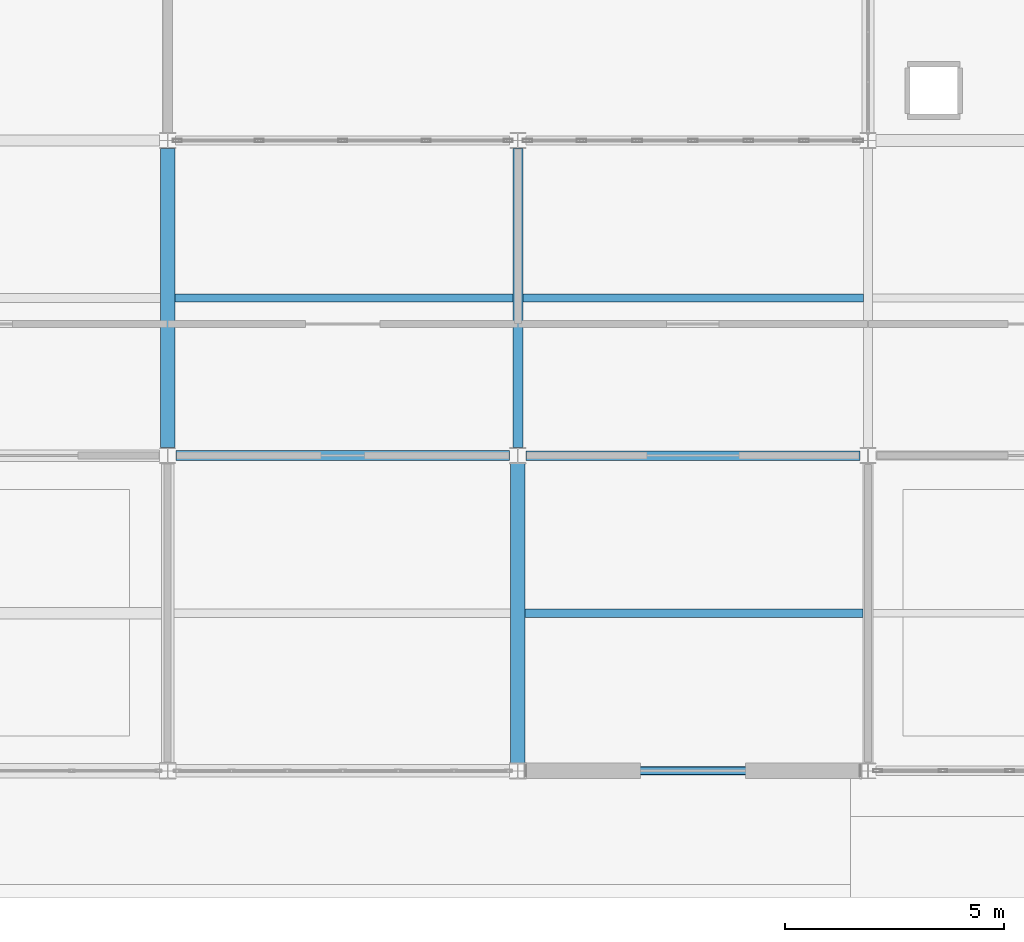
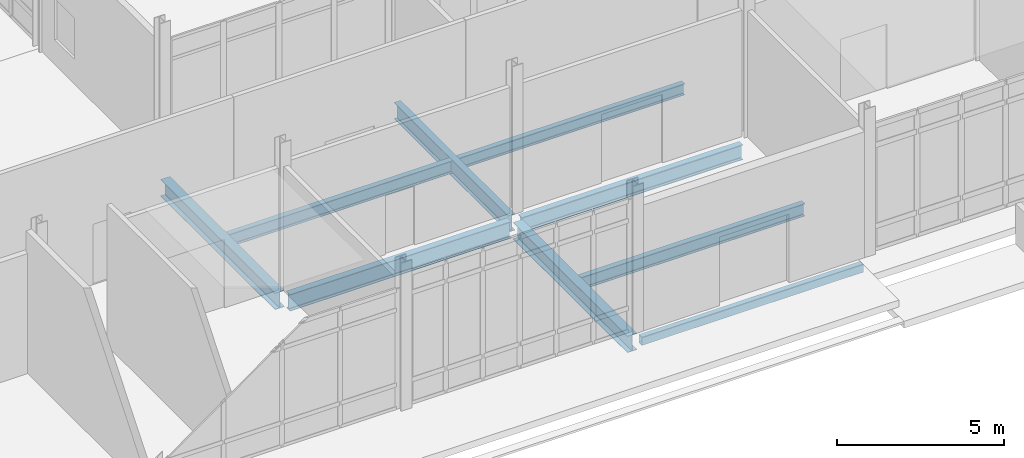
# One storey, part 40 of 229: 9 beams.
"""IFC4 building model written with IfcOpenShell, lengths in metres."""

import ifcopenshell
import ifcopenshell.guid

model = None  # the IFC model being written
_history = None  # IfcOwnerHistory: only IFC2X3 demands one
_inside = {}  # id of a spatial element -> (the spatial element, [elements in it])
_under = {}  # id of a project, library or spatial element -> (it, [spatial elements below it])
_declared = {}  # id of a project -> (the project, [libraries it declares])
_typed = {}  # id of a type object -> (the type object, [elements of that type])
_made_of = {}  # id of a material, layer set ... -> (it, [elements and type objects made of it])


def new_model(schema):
    """Start an empty IFC model of exactly this schema.

    Asked for "IFC4X3", IfcOpenShell would pick the latest addendum, in which some entities
    have other attributes; the version numbers below select the first issue.
    IFC2X3 requires an IfcOwnerHistory on every rooted entity: one is made here for all.
    """
    global model, _history
    if schema == "IFC4X3":
        model = ifcopenshell.file(schema_version=(4, 3, 0, 0))
    else:
        model = ifcopenshell.file(schema=schema)
    _inside.clear()
    _under.clear()
    _declared.clear()
    _typed.clear()
    _made_of.clear()
    _history = None
    if model.schema == "IFC2X3":
        org = make("IfcOrganization", Name="unknown")
        user = make(
            "IfcPersonAndOrganization",
            ThePerson=make("IfcPerson", FamilyName="unknown"),
            TheOrganization=org,
        )
        app = make(
            "IfcApplication",
            ApplicationDeveloper=org,
            Version="unknown",
            ApplicationFullName="unknown",
            ApplicationIdentifier="unknown",
        )
        _history = make(
            "IfcOwnerHistory",
            OwningUser=user,
            OwningApplication=app,
            ChangeAction="ADDED",
            CreationDate=0,
        )
    return model


def make(cls, **values):
    """One entity of the class cls with the attributes given. An attribute that is None is left unset."""
    return model.create_entity(
        cls, **{name: value for name, value in values.items() if value is not None}
    )


def rooted(cls, **values):
    """An entity with a GlobalId (a new one), such as an element, a storey or a relation."""
    return make(cls, GlobalId=ifcopenshell.guid.new(), OwnerHistory=_history, **values)


def si_unit(unit_type, name, prefix=None):
    """IfcSIUnit, for example si_unit("LENGTHUNIT", "METRE", prefix="MILLI")."""
    return make("IfcSIUnit", UnitType=unit_type, Prefix=prefix, Name=name)


def assignment(units):
    """IfcUnitAssignment: the units of a project."""
    return None if units is None else make("IfcUnitAssignment", Units=units)


def point(xyz):
    """IfcCartesianPoint."""
    return None if xyz is None else make("IfcCartesianPoint", Coordinates=xyz)


def direction(xyz):
    """IfcDirection."""
    return None if xyz is None else make("IfcDirection", DirectionRatios=xyz)


def frame(location, z_axis=None, x_axis=None):
    """IfcAxis2Placement3D, a coordinate frame: its origin and axes. An axis left out is left unset."""
    return make(
        "IfcAxis2Placement3D",
        Location=point(location),
        Axis=direction(z_axis),
        RefDirection=direction(x_axis),
    )


def frame_2d(location, x_axis=None):
    """IfcAxis2Placement2D, a coordinate frame in the plane: its origin and x axis."""
    return make(
        "IfcAxis2Placement2D", Location=point(location), RefDirection=direction(x_axis)
    )


def origin():
    """The frame at (0, 0, 0) with its axes left unset."""
    return frame((0.0, 0.0, 0.0))


def origin_2d():
    """The frame at (0, 0) in the plane with its x axis left unset."""
    return frame_2d((0.0, 0.0))


def place(relative_to, where):
    """IfcLocalPlacement: puts the frame where relative to a parent placement (None: the world)."""
    return make(
        "IfcLocalPlacement", PlacementRelTo=relative_to, RelativePlacement=where
    )


def context(
    kind, dimensions, precision=None, world=None, true_north=None, identifier=None
):
    """IfcGeometricRepresentationContext, for example the 3D "Model" context."""
    return make(
        "IfcGeometricRepresentationContext",
        ContextIdentifier=identifier,
        ContextType=kind,
        CoordinateSpaceDimension=dimensions,
        Precision=precision,
        WorldCoordinateSystem=world,
        TrueNorth=true_north,
    )


def subcontext(parent, identifier, kind, view, scale=None):
    """IfcGeometricRepresentationSubContext, for example "Body" below "Model"."""
    return make(
        "IfcGeometricRepresentationSubContext",
        ContextIdentifier=identifier,
        ContextType=kind,
        ParentContext=parent,
        TargetScale=scale,
        TargetView=view,
    )


def project(units=None, contexts=None):
    """IfcProject with its units and contexts."""
    return rooted(
        "IfcProject",
        Name="project",
        RepresentationContexts=contexts,
        UnitsInContext=assignment(units),
    )


def spatial(cls, under=None, at=None, **own):
    """A site, building, storey or space (cls), placed at a placement, below another one or the project."""
    s = rooted(cls, ObjectPlacement=at, **own)
    if under is not None:
        _under.setdefault(under.id(), (under, []))[1].append(s)
    return s


def profile(cls, at=None, kind="AREA", **sizes):
    """A parametric profile (cls). Its sizes go by their IFC names, for example OverallWidth=200.0."""
    return make(cls, ProfileType=kind, Position=at, **sizes)


def hollow_rectangle(**sizes):
    """IfcRectangleHollowProfileDef."""
    return profile("IfcRectangleHollowProfileDef", **sizes)


def i_section(**sizes):
    """IfcIShapeProfileDef."""
    return profile("IfcIShapeProfileDef", **sizes)


def extrude(swept, where, along, depth):
    """IfcExtrudedAreaSolid: the profile swept, set in the frame where, extruded along a direction by depth."""
    return make(
        "IfcExtrudedAreaSolid",
        SweptArea=swept,
        Position=where,
        ExtrudedDirection=direction(along),
        Depth=depth,
    )


def shape(context_of_items, identifier, shape_type, items):
    """IfcShapeRepresentation: the items that make up one representation, for example the "Body"."""
    return make(
        "IfcShapeRepresentation",
        ContextOfItems=context_of_items,
        RepresentationIdentifier=identifier,
        RepresentationType=shape_type,
        Items=items,
    )


def material(Name=None, Category=None):
    """IfcMaterial."""
    return make("IfcMaterial", Name=Name, Category=Category)


def material_profile(
    of_material, cross_section, Name=None, Category=None, Priority=None
):
    """IfcMaterialProfile: a cross section and its material."""
    return make(
        "IfcMaterialProfile",
        Name=Name,
        Material=of_material,
        Profile=cross_section,
        Priority=Priority,
        Category=Category,
    )


def profile_set(profiles, Name=None, composite=None):
    """IfcMaterialProfileSet."""
    return make(
        "IfcMaterialProfileSet",
        Name=Name,
        MaterialProfiles=profiles,
        CompositeProfile=composite,
    )


def made_of(thing, what):
    """Note that an element or type object is made of a material, layer set ...; save() writes the relation."""
    if what is not None:
        _made_of.setdefault(what.id(), (what, []))[1].append(thing)
    return thing


def type_object(cls, material=None, **own):
    """A type object (cls), such as IfcWallType, which elements share."""
    return made_of(rooted(cls, **own), material)


def element(
    cls,
    number,
    at=None,
    inside=None,
    cuts=None,
    type_object=None,
    material=None,
    context=None,
    identifier="Body",
    shape_type=None,
    held_by="IfcProductDefinitionShape",
    body=None,
    shapes=None,
    **own,
):
    """One element of the class cls, such as IfcWall. Its Tag is "e" and its number.

    at: its placement. inside: the storey or other place that contains it. cuts: it is an
    opening in that element (IfcRelVoidsElement). A single representation is given by context,
    identifier, shape_type and body (its items); several are given by shapes. held_by: the class
    of the entity that holds the representations. save() writes the other relations.
    """
    e = rooted(cls, Tag="e%d" % number, ObjectPlacement=at, **own)
    if body is not None:
        shapes = [shape(context, identifier, shape_type, body)]
    if shapes is not None:
        e.Representation = make(held_by, Representations=shapes)
    if inside is not None:
        _inside.setdefault(inside.id(), (inside, []))[1].append(e)
    if cuts is not None:
        rooted(
            "IfcRelVoidsElement", RelatingBuildingElement=cuts, RelatedOpeningElement=e
        )
    if type_object is not None:
        _typed.setdefault(type_object.id(), (type_object, []))[1].append(e)
    return made_of(e, material)


def aggregate(whole, parts):
    """IfcRelAggregates: a whole, such as a stair, and the parts it consists of."""
    return rooted("IfcRelAggregates", RelatingObject=whole, RelatedObjects=parts)


def save(model, path):
    """Write the relations noted so far, then the file.

    IfcRelAggregates (storeys below a building ...), IfcRelContainedInSpatialStructure (elements
    in a storey), IfcRelDefinesByType, IfcRelAssociatesMaterial and IfcRelDeclares: one each for
    every whole, place, type object, material and project.
    """
    for whole, parts in _under.values():
        aggregate(whole, parts)
    for where, things in _inside.values():
        rooted(
            "IfcRelContainedInSpatialStructure",
            RelatedElements=things,
            RelatingStructure=where,
        )
    for kind, things in _typed.values():
        rooted("IfcRelDefinesByType", RelatedObjects=things, RelatingType=kind)
    for what, things in _made_of.values():
        rooted("IfcRelAssociatesMaterial", RelatedObjects=things, RelatingMaterial=what)
    for by, libraries in _declared.values():
        rooted("IfcRelDeclares", RelatingContext=by, RelatedDefinitions=libraries)
    model.write(path)


model = new_model("IFC4")

# Units and contexts
model_context = context("Model", 3, precision=1e-05, world=origin(), true_north=direction((0.0, 1.0)))
body_context = subcontext(model_context, "Body", "Model", "MODEL_VIEW")
ifc_project = project(units=[si_unit("LENGTHUNIT", "METRE"), si_unit("AREAUNIT", "SQUARE_METRE"), si_unit("VOLUMEUNIT", "CUBIC_METRE"), si_unit("PLANEANGLEUNIT", "RADIAN"), si_unit("MASSUNIT", "GRAM", prefix="KILO")], contexts=[model_context])

# Site, building, storey
site_placement = place(None, origin())
site = spatial("IfcSite", under=ifc_project, at=site_placement, CompositionType="ELEMENT")
building_placement = place(site_placement, origin())
building = spatial("IfcBuilding", under=site, at=building_placement, Name="Calvrana Isthmian Art Gallery", CompositionType="ELEMENT")
storey_placement = place(building_placement, origin())
storey = spatial("IfcBuildingStorey", under=building, at=storey_placement, Name="L00", CompositionType="ELEMENT", Elevation=0.0)

# Beams
ifc_material_1 = material(Name="Steel ASTM A992 Gr 50", Category="steel")
ifc_material_profile_1 = material_profile(ifc_material_1, i_section(OverallWidth=0.214111328125, OverallDepth=0.549072265625, WebThickness=0.0146484375, FlangeThickness=0.023681640625, FilletRadius=0.02099609375, at=origin_2d()), Name="W21X93")
ifc_profile_set_1 = profile_set([ifc_material_profile_1], Name="Steel ASTM A992 Gr 50")
beam_type_1 = type_object("IfcBeamType", Name="BM-G-W21X93", PredefinedType="BEAM", material=ifc_profile_set_1)
beam_1_placement = place(storey_placement, frame((88.58642578125, 7.199951171875, -0.5595703125), z_axis=(1.0, 0.0, 0.0), x_axis=(0.0, 1.0, 0.0)))
element("IfcBeam", 1, at=beam_1_placement, inside=storey, type_object=beam_type_1, Name="Girder X L00 12-13/B", PredefinedType="BEAM", context=body_context, shape_type="SweptSolid", body=[
    extrude(i_section(OverallWidth=0.214111328125, OverallDepth=0.549072265625, WebThickness=0.0146484375, FlangeThickness=0.023681640625, FilletRadius=0.02099609375, at=origin_2d()), origin(), (0.0, 0.0, 1.0), 7.628173828125),
])
ifc_material_profile_2 = material_profile(ifc_material_1, i_section(OverallWidth=0.324951171875, OverallDepth=0.612060546875, WebThickness=0.0126953125, FlangeThickness=0.01904296875, FilletRadius=0.02197265625, at=origin_2d()), Name="W24X104")
ifc_profile_set_2 = profile_set([ifc_material_profile_2], Name="Steel ASTM A992 Gr 50")
beam_type_2 = type_object("IfcBeamType", Name="BM-G-W24X104", PredefinedType="BEAM", material=ifc_profile_set_2)
beam_2_placement = place(storey_placement, frame((80.39990234375, 7.386474609375, -0.591064453125), z_axis=(0.0, 1.0, 0.0), x_axis=(-1.0, 0.0, 0.0)))
element("IfcBeam", 2, at=beam_2_placement, inside=storey, type_object=beam_type_2, Name="Girder Y L00 11/B-C", PredefinedType="BEAM", context=body_context, shape_type="SweptSolid", body=[
    extrude(i_section(OverallWidth=0.324951171875, OverallDepth=0.612060546875, WebThickness=0.0126953125, FlangeThickness=0.01904296875, FilletRadius=0.02197265625, at=origin_2d()), origin(), (0.0, 0.0, 1.0), 6.83544921875),
])
beam_3_placement = place(storey_placement, frame((88.39990234375, 0.181396484375, -0.591064453125), z_axis=(0.0, 1.0, 0.0), x_axis=(-1.0, 0.0, 0.0)))
element("IfcBeam", 3, at=beam_3_placement, inside=storey, type_object=beam_type_2, Name="Girder Y L00 12/A-B", PredefinedType="BEAM", context=body_context, shape_type="SweptSolid", body=[
    extrude(i_section(OverallWidth=0.324951171875, OverallDepth=0.612060546875, WebThickness=0.0126953125, FlangeThickness=0.01904296875, FilletRadius=0.02197265625, at=origin_2d()), origin(), (0.0, 0.0, 1.0), 6.834716796875),
])
ifc_material_profile_3 = material_profile(ifc_material_1, i_section(OverallWidth=0.22802734375, OverallDepth=0.60693359375, WebThickness=0.01123046875, FlangeThickness=0.017333984375, FilletRadius=0.02197265625, at=origin_2d()), Name="W24X76")
ifc_profile_set_3 = profile_set([ifc_material_profile_3], Name="Steel ASTM A992 Gr 50")
beam_type_3 = type_object("IfcBeamType", Name="BM-G-W24X76", PredefinedType="BEAM", material=ifc_profile_set_3)
beam_4_placement = place(storey_placement, frame((80.58642578125, 7.199951171875, -0.58837890625), z_axis=(1.0, 0.0, 0.0), x_axis=(0.0, 1.0, 0.0)))
element("IfcBeam", 4, at=beam_4_placement, inside=storey, type_object=beam_type_3, Name="Girder X L00 11-12/B", PredefinedType="BEAM", context=body_context, shape_type="SweptSolid", body=[
    extrude(i_section(OverallWidth=0.22802734375, OverallDepth=0.60693359375, WebThickness=0.01123046875, FlangeThickness=0.017333984375, FilletRadius=0.02197265625, at=origin_2d()), origin(), (0.0, 0.0, 1.0), 7.626953125),
])
beam_5_placement = place(storey_placement, frame((88.39990234375, 7.384033203125, -0.58837890625), z_axis=(0.0, 1.0, 0.0), x_axis=(-1.0, 0.0, 0.0)))
element("IfcBeam", 5, at=beam_5_placement, inside=storey, type_object=beam_type_3, Name="Girder Y L00 12/B-C", PredefinedType="BEAM", context=body_context, shape_type="SweptSolid", body=[
    extrude(i_section(OverallWidth=0.22802734375, OverallDepth=0.60693359375, WebThickness=0.01123046875, FlangeThickness=0.017333984375, FilletRadius=0.02197265625, at=origin_2d()), origin(), (0.0, 0.0, 1.0), 6.829345703125),
])
ifc_material_profile_4 = material_profile(ifc_material_1, i_section(OverallWidth=0.179931640625, OverallDepth=0.4140625, WebThickness=0.009765625, FlangeThickness=0.01611328125, FilletRadius=0.01806640625, at=origin_2d()), Name="W16X50")
ifc_profile_set_4 = profile_set([ifc_material_profile_4], Name="Steel ASTM A992 Gr 50")
beam_type_4 = type_object("IfcBeamType", Name="BM-J-W16X50", PredefinedType="JOIST", material=ifc_profile_set_4)
beam_6_placement = place(storey_placement, frame((88.513916015625, 10.800048828125, -0.491943359375), z_axis=(1.0, 0.0, 0.0), x_axis=(0.0, 1.0, 0.0)))
element("IfcBeam", 6, at=beam_6_placement, inside=storey, type_object=beam_type_4, Name="Composite joist L00 bay 11-01", PredefinedType="JOIST", context=body_context, shape_type="SweptSolid", body=[
    extrude(i_section(OverallWidth=0.179931640625, OverallDepth=0.4140625, WebThickness=0.009765625, FlangeThickness=0.01611328125, FilletRadius=0.01806640625, at=origin_2d()), origin(), (0.0, 0.0, 1.0), 7.781494140625),
])
ifc_material_profile_5 = material_profile(ifc_material_1, i_section(OverallWidth=0.19091796875, OverallDepth=0.45703125, WebThickness=0.009033203125, FlangeThickness=0.014404296875, FilletRadius=0.02001953125, at=origin_2d()), Name="W18X50")
ifc_profile_set_5 = profile_set([ifc_material_profile_5], Name="Steel ASTM A992 Gr 50")
beam_type_5 = type_object("IfcBeamType", Name="BM-J-W18X50", PredefinedType="JOIST", material=ifc_profile_set_5)
for number, where, z_axis, x_axis, name in (
    (7, (80.5625, 10.800048828125, -0.513427734375), (1.0, 0.0, 0.0), (0.0, 1.0, 0.0), "Composite joist L00 bay 10-01"),
    (8, (88.5625, 3.60009765625, -0.513427734375), (1.0, 0.0, 0.0), (0.0, 1.0, 0.0), "Composite joist L00 bay 11-00"),
):
    element("IfcBeam", number, at=place(storey_placement, frame(where, z_axis=z_axis, x_axis=x_axis)), inside=storey, type_object=beam_type_5, Name=name, PredefinedType="JOIST", context=body_context, shape_type="SweptSolid", body=[
        extrude(i_section(OverallWidth=0.19091796875, OverallDepth=0.45703125, WebThickness=0.009033203125, FlangeThickness=0.014404296875, FilletRadius=0.02001953125, at=origin_2d()), origin(), (0.0, 0.0, 1.0), 7.723388671875),
    ])
ifc_material_2 = material(Name="Steel ASTM A500 Gr C", Category="steel")
ifc_material_profile_6 = material_profile(ifc_material_2, hollow_rectangle(XDim=0.203125, YDim=0.3046875, WallThickness=0.0126953125, OuterFilletRadius=0.02490234375, at=origin_2d()), Name="HSS305X203X12.7")
ifc_profile_set_6 = profile_set([ifc_material_profile_6], Name="Steel ASTM A500 Gr C")
beam_type_6 = type_object("IfcBeamType", Name="BM-SP-HSS305", PredefinedType="SPANDREL", material=ifc_profile_set_6)
beam_7_placement = place(storey_placement, frame((88.58544921875, 0.0, -0.4375), z_axis=(1.0, 0.0, 0.0), x_axis=(0.0, 1.0, 0.0)))
element("IfcBeam", 9, at=beam_7_placement, inside=storey, type_object=beam_type_6, Name="Girder X L00 12-13/A", PredefinedType="SPANDREL", context=body_context, shape_type="SweptSolid", body=[
    extrude(hollow_rectangle(XDim=0.203125, YDim=0.3046875, WallThickness=0.0126953125, OuterFilletRadius=0.02490234375, at=origin_2d()), origin(), (0.0, 0.0, 1.0), 7.630615234375),
])

save(model, "model.ifc")
